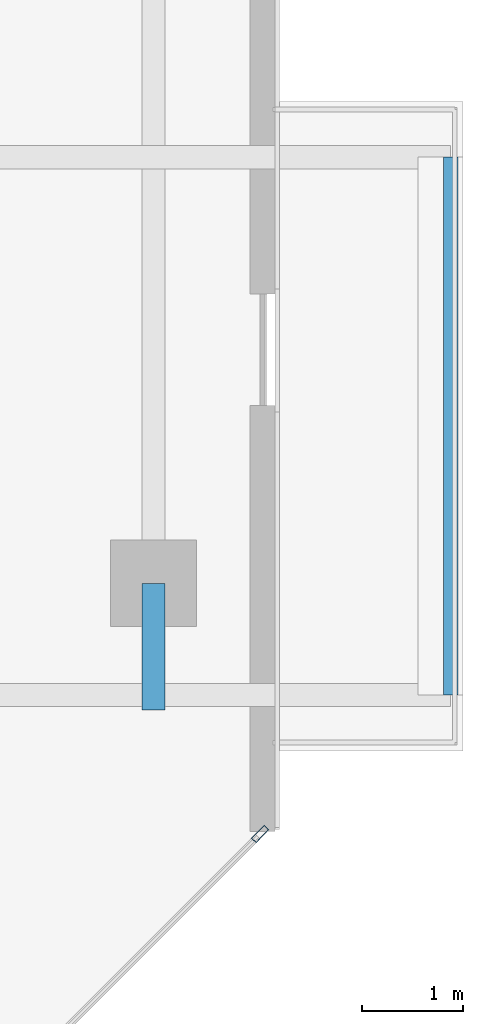
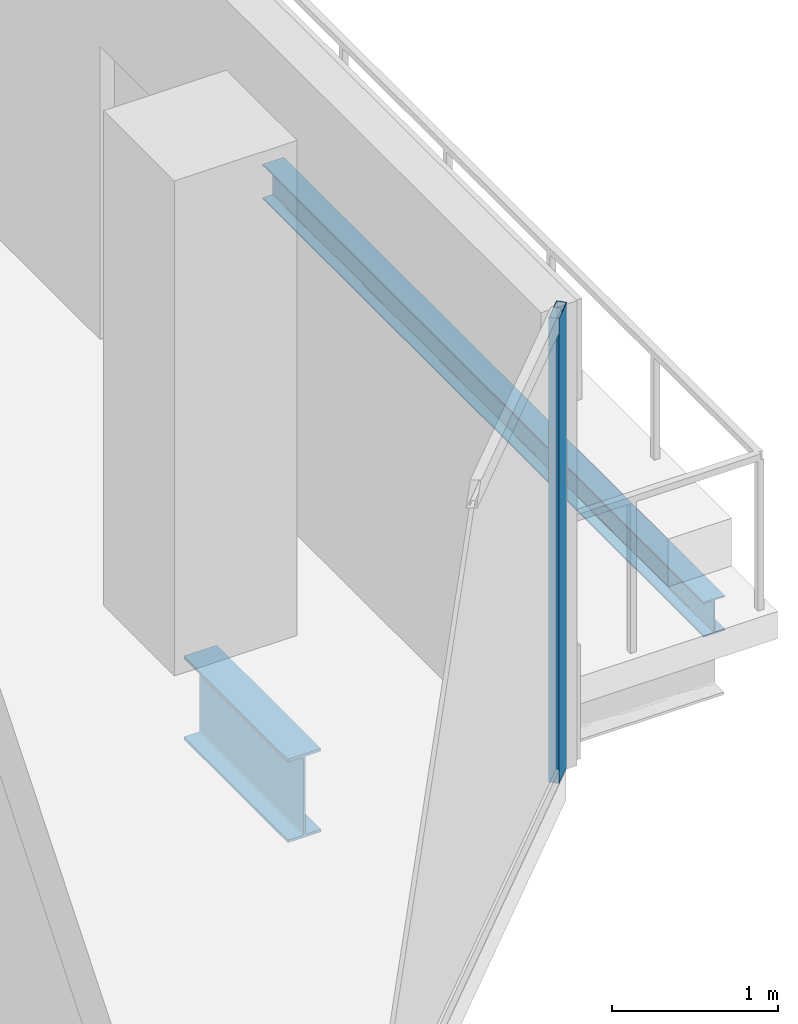
# One storey, part 15 of 30: 2 beams, 1 member, 1 element without a shape of its own.
"""IFC4 building model written with IfcOpenShell, lengths in metres."""

from ifc_helpers import new_model, si_unit, direction, frame, origin, origin_2d, place, context, subcontext, project, spatial, hollow_rectangle, i_section, extrude, material, layer, layer_set, material_profile, profile_set, type_object, element, aggregate, save


model = new_model("IFC4")

# Units and contexts
model_context = context("Model", 3, precision=1e-05, world=origin(), true_north=direction((0.0, 1.0)))
body_context = subcontext(model_context, "Body", "Model", "MODEL_VIEW")
ifc_project = project(units=[si_unit("LENGTHUNIT", "METRE"), si_unit("AREAUNIT", "SQUARE_METRE"), si_unit("VOLUMEUNIT", "CUBIC_METRE"), si_unit("PLANEANGLEUNIT", "RADIAN"), si_unit("MASSUNIT", "GRAM", prefix="KILO")], contexts=[model_context])

# Site, building, storey
site_placement = place(None, origin())
site = spatial("IfcSite", under=ifc_project, at=site_placement, CompositionType="ELEMENT")
building_placement = place(site_placement, origin())
building = spatial("IfcBuilding", under=site, at=building_placement, Name="Tanjung Sevakor Pilgrim Tower", CompositionType="ELEMENT")
storey_placement = place(building_placement, frame((0.0, 0.0, 165.659912109375)))
storey = spatial("IfcBuildingStorey", under=building, at=storey_placement, Name="L46", CompositionType="ELEMENT", Elevation=165.659912109375)

# Beams
ifc_material_1 = material(Name="Steel S355J2", Category="steel")
ifc_material_profile_1 = material_profile(ifc_material_1, i_section(OverallWidth=0.22900390625, OverallDepth=0.6123046875, WebThickness=0.011962890625, FlangeThickness=0.01953125, FilletRadius=0.0126953125, at=origin_2d()))
ifc_profile_set_1 = profile_set([ifc_material_profile_1], Name="Steel S355J2")
beam_type_1 = type_object("IfcBeamType", Name="BM-B-G4-UB_610x229x125", PredefinedType="BEAM", material=ifc_profile_set_1)
beam_1_placement = place(storey_placement, frame((98.800048828125, 18.60009765625, -0.526123046875), z_axis=(0.0, -1.0, 0.0), x_axis=(1.0, 0.0, 0.0)))
element("IfcBeam", 1, at=beam_1_placement, inside=storey, type_object=beam_type_1, Name="L46 Short-End Edge Extension S-E", PredefinedType="BEAM", context=body_context, shape_type="SweptSolid", body=[
    extrude(i_section(OverallWidth=0.22900390625, OverallDepth=0.6123046875, WebThickness=0.011962890625, FlangeThickness=0.01953125, FilletRadius=0.0126953125, at=origin_2d()), origin(), (0.0, 0.0, 1.0), 1.25),
])
ifc_material_2 = material(Name="Steel S355J2", Category="steel")
ifc_material_profile_2 = material_profile(ifc_material_2, i_section(OverallWidth=0.146484375, OverallDepth=0.256103515625, WebThickness=0.00634765625, FlangeThickness=0.010986328125, FilletRadius=0.007568359375, at=origin_2d()))
ifc_profile_set_2 = profile_set([ifc_material_profile_2], Name="Steel S355J2")
beam_type_2 = type_object("IfcBeamType", Name="BM-B-J6-UB_254x146x37", PredefinedType="JOIST", material=ifc_profile_set_2)
beam_2_placement = place(storey_placement, frame((101.72998046875, 17.5, -0.327880859375), z_axis=(0.0, 1.0, 0.0), x_axis=(-1.0, 0.0, 0.0)))
element("IfcBeam", 2, at=beam_2_placement, inside=storey, type_object=beam_type_2, Name="L46 Balcony Rim Tie MAIN-E1", PredefinedType="JOIST", context=body_context, shape_type="SweptSolid", body=[
    extrude(i_section(OverallWidth=0.146484375, OverallDepth=0.256103515625, WebThickness=0.00634765625, FlangeThickness=0.010986328125, FilletRadius=0.007568359375, at=origin_2d()), origin(), (0.0, 0.0, 1.0), 5.300048828125),
])

# Curtain wall, member
ifc_material_3 = material(Name="Aluminium 6063-T6 and Low-E Glass", Category="aluminium")
ifc_layer = layer(ifc_material_3, 0.179931640625)
ifc_layer_set = layer_set([ifc_layer], Name="CW-SYS-CHAM")
curtain_wall_type = type_object("IfcCurtainWallType", Name="CW-SYS-CHAM", PredefinedType="NOTDEFINED", material=ifc_layer_set)
curtain_wall_placement = place(storey_placement, origin())
curtain_wall = element("IfcCurtainWall", 3, at=curtain_wall_placement, inside=storey, type_object=curtain_wall_type, Name="L46 Curtain Wall CW-CHM-L46-MAIN-5", PredefinedType="NOTDEFINED")
ifc_material_4 = material(Name="Aluminium 6063-T6", Category="aluminium")
ifc_material_profile_3 = material_profile(ifc_material_4, hollow_rectangle(XDim=0.06494140625, YDim=0.179931640625, WallThickness=0.00390625, at=origin_2d()))
ifc_profile_set_3 = profile_set([ifc_material_profile_3], Name="Aluminium 6063-T6")
member_type = type_object("IfcMemberType", Name="TYPE-CWM-1", PredefinedType="MULLION", material=ifc_profile_set_3)
member_placement = place(storey_placement, frame((99.85205078125, 16.12890625, 0.0), z_axis=(0.0, 0.0, 1.0), x_axis=(-0.707106781187, 0.707106781187, 0.0)))
member = element("IfcMember", 4, at=member_placement, type_object=member_type, Name="CW-CHM mullion 2", PredefinedType="MULLION", context=body_context, shape_type="SweptSolid", body=[
    extrude(hollow_rectangle(XDim=0.06494140625, YDim=0.179931640625, WallThickness=0.00390625, at=origin_2d()), origin(), (0.0, 0.0, 1.0), 3.41015625),
])
aggregate(curtain_wall, [member])

save(model, "model.ifc")
